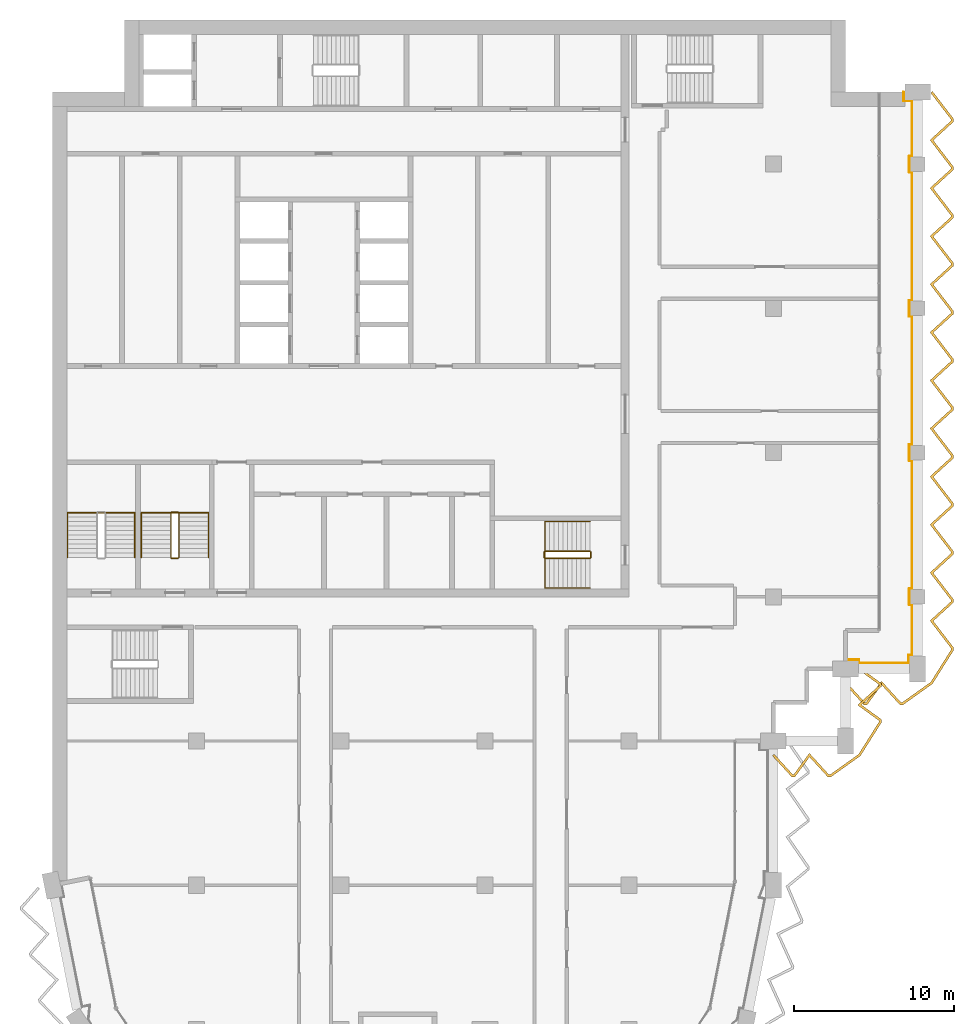
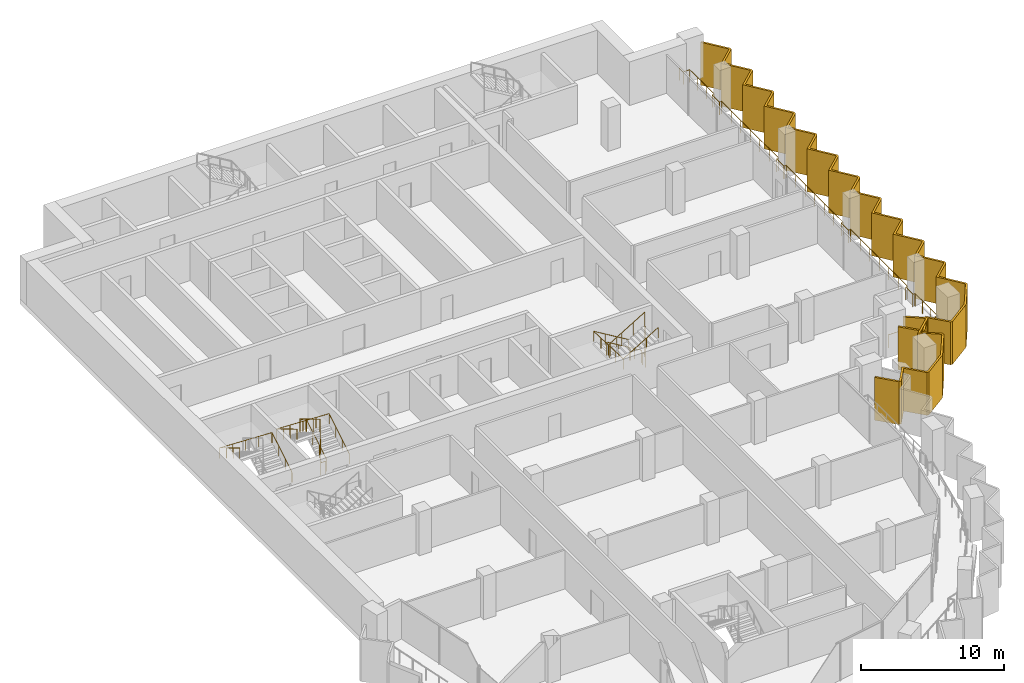
# One storey, part 15 of 16: 6 railings, 2 shading devices.
"""IFC4 building model written with IfcOpenShell, lengths in metres."""

from ifc_helpers import new_model, si_unit, direction, frame, origin, origin_2d, place, context, subcontext, project, spatial, polyline, circle, outline, extrude, material, layer, layer_set, type_object, element, save


model = new_model("IFC4")

# Units and contexts
model_context = context("Model", 3, precision=1e-05, world=origin(), true_north=direction((0.0, 1.0)))
body_context = subcontext(model_context, "Body", "Model", "MODEL_VIEW")
ifc_project = project(units=[si_unit("LENGTHUNIT", "METRE"), si_unit("AREAUNIT", "SQUARE_METRE"), si_unit("VOLUMEUNIT", "CUBIC_METRE"), si_unit("PLANEANGLEUNIT", "RADIAN"), si_unit("MASSUNIT", "GRAM", prefix="KILO")], contexts=[model_context])

# Site, building, storey
site_placement = place(None, origin())
site = spatial("IfcSite", under=ifc_project, at=site_placement, CompositionType="ELEMENT")
building_placement = place(site_placement, origin())
building = spatial("IfcBuilding", under=site, at=building_placement, Name="Hunhe Ridgeline Campus", CompositionType="ELEMENT")
storey_placement = place(building_placement, frame((0.0, 0.0, 242.89990234375)))
storey = spatial("IfcBuildingStorey", under=building, at=storey_placement, Name="L62", CompositionType="ELEMENT", Elevation=242.89990234375)

# Railing
ifc_material_1 = material(Name="Steel Q355", Category="steel")
railing_type_1 = type_object("IfcRailingType", Name="Loggia guard 1100 Steel Q355", PredefinedType="GUARDRAIL", material=ifc_material_1)
railing_1_placement = place(storey_placement, frame((49.5, 59.070068359375, 0.0)))
element("IfcRailing", 1, at=railing_1_placement, inside=storey, type_object=railing_type_1, Name="Loggia guard 2", PredefinedType="GUARDRAIL", context=body_context, shape_type="SweptSolid", body=[
    extrude(circle(Radius=0.02392578125, at=origin_2d()), frame((0.0, 0.0, 1.076171875), z_axis=(1.0, 0.0, 0.0), x_axis=(0.0, 1.0, 0.0)), (0.0, 0.0, 1.0), 0.85009765625),
    extrude(circle(Radius=0.02392578125, at=origin_2d()), frame((0.85009765625, 0.0, 1.076171875), z_axis=(0.0, -1.0, 0.0), x_axis=(1.0, 0.0, 0.0)), (0.0, 0.0, 1.0), 0.219970703125),
    extrude(circle(Radius=0.02392578125, at=origin_2d()), frame((0.85009765625, -0.219970703125, 1.076171875), z_axis=(1.0, 0.0, 0.0), x_axis=(0.0, 1.0, 0.0)), (0.0, 0.0, 1.0), 3.099853515625),
    extrude(circle(Radius=0.02392578125, at=origin_2d()), frame((3.949951171875, -0.219970703125, 1.076171875), z_axis=(0.0, 1.0, 0.0), x_axis=(-1.0, 0.0, 0.0)), (0.0, 0.0, 1.0), 0.52001953125),
    extrude(circle(Radius=0.02392578125, at=origin_2d()), frame((3.949951171875, 0.300048828125, 1.076171875), z_axis=(-0.066572895244, -0.99778156408, 0.0), x_axis=(0.99778156408, -0.066572895244, 0.0)), (0.0, 0.0, 1.0), 0.30078125),
    extrude(circle(Radius=0.02392578125, at=origin_2d()), frame((3.929931640625, 0.0, 1.076171875), z_axis=(0.0, 1.0, 0.0), x_axis=(-1.0, 0.0, 0.0)), (0.0, 0.0, 1.0), 0.280029296875),
    extrude(circle(Radius=0.02392578125, at=origin_2d()), frame((3.929931640625, 0.280029296875, 1.076171875), z_axis=(1.0, 0.0, 0.0), x_axis=(0.0, 1.0, 0.0)), (0.0, 0.0, 1.0), 0.219970703125),
    extrude(circle(Radius=0.02392578125, at=origin_2d()), frame((4.14990234375, 0.280029296875, 1.076171875), z_axis=(0.0, 1.0, 0.0), x_axis=(-1.0, 0.0, 0.0)), (0.0, 0.0, 1.0), 3.14990234375),
    extrude(circle(Radius=0.02392578125, at=origin_2d()), frame((4.14990234375, 3.429931640625, 1.076171875), z_axis=(-1.0, 0.0, 0.0), x_axis=(0.0, -1.0, 0.0)), (0.0, 0.0, 1.0), 0.169921875),
    extrude(circle(Radius=0.02392578125, at=origin_2d()), frame((3.97998046875, 3.429931640625, 1.076171875), z_axis=(0.0, 1.0, 0.0), x_axis=(-1.0, 0.0, 0.0)), (0.0, 0.0, 1.0), 1.0),
    extrude(circle(Radius=0.02392578125, at=origin_2d()), frame((3.97998046875, 4.429931640625, 1.076171875), z_axis=(1.0, 0.0, 0.0), x_axis=(0.0, 1.0, 0.0)), (0.0, 0.0, 1.0), 0.169921875),
    extrude(circle(Radius=0.02392578125, at=origin_2d()), frame((4.14990234375, 4.429931640625, 1.076171875), z_axis=(0.0, 1.0, 0.0), x_axis=(-1.0, 0.0, 0.0)), (0.0, 0.0, 1.0), 8.0),
    extrude(circle(Radius=0.02392578125, at=origin_2d()), frame((4.14990234375, 12.429931640625, 1.076171875), z_axis=(-1.0, 0.0, 0.0), x_axis=(0.0, -1.0, 0.0)), (0.0, 0.0, 1.0), 0.169921875),
    extrude(circle(Radius=0.02392578125, at=origin_2d()), frame((3.97998046875, 12.429931640625, 1.076171875), z_axis=(0.0, 1.0, 0.0), x_axis=(-1.0, 0.0, 0.0)), (0.0, 0.0, 1.0), 1.0),
    extrude(circle(Radius=0.02392578125, at=origin_2d()), frame((3.97998046875, 13.429931640625, 1.076171875), z_axis=(1.0, 0.0, 0.0), x_axis=(0.0, 1.0, 0.0)), (0.0, 0.0, 1.0), 0.169921875),
    extrude(circle(Radius=0.02392578125, at=origin_2d()), frame((4.14990234375, 13.429931640625, 1.076171875), z_axis=(0.0, 1.0, 0.0), x_axis=(-1.0, 0.0, 0.0)), (0.0, 0.0, 1.0), 8.0),
    extrude(circle(Radius=0.02392578125, at=origin_2d()), frame((4.14990234375, 21.429931640625, 1.076171875), z_axis=(-1.0, 0.0, 0.0), x_axis=(0.0, -1.0, 0.0)), (0.0, 0.0, 1.0), 0.169921875),
    extrude(circle(Radius=0.02392578125, at=origin_2d()), frame((3.97998046875, 21.429931640625, 1.076171875), z_axis=(0.0, 1.0, 0.0), x_axis=(-1.0, 0.0, 0.0)), (0.0, 0.0, 1.0), 1.0),
    extrude(circle(Radius=0.02392578125, at=origin_2d()), frame((3.97998046875, 22.429931640625, 1.076171875), z_axis=(1.0, 0.0, 0.0), x_axis=(0.0, 1.0, 0.0)), (0.0, 0.0, 1.0), 0.169921875),
    extrude(circle(Radius=0.02392578125, at=origin_2d()), frame((4.14990234375, 22.429931640625, 1.076171875), z_axis=(0.0, 1.0, 0.0), x_axis=(-1.0, 0.0, 0.0)), (0.0, 0.0, 1.0), 8.0),
    extrude(circle(Radius=0.02392578125, at=origin_2d()), frame((4.14990234375, 30.429931640625, 1.076171875), z_axis=(-1.0, 0.0, 0.0), x_axis=(0.0, -1.0, 0.0)), (0.0, 0.0, 1.0), 0.169921875),
    extrude(circle(Radius=0.02392578125, at=origin_2d()), frame((3.97998046875, 30.429931640625, 1.076171875), z_axis=(0.0, 1.0, 0.0), x_axis=(-1.0, 0.0, 0.0)), (0.0, 0.0, 1.0), 1.0),
    extrude(circle(Radius=0.02392578125, at=origin_2d()), frame((3.97998046875, 31.429931640625, 1.076171875), z_axis=(1.0, 0.0, 0.0), x_axis=(0.0, 1.0, 0.0)), (0.0, 0.0, 1.0), 0.169921875),
    extrude(circle(Radius=0.02392578125, at=origin_2d()), frame((4.14990234375, 31.429931640625, 1.076171875), z_axis=(0.0, 1.0, 0.0), x_axis=(-1.0, 0.0, 0.0)), (0.0, 0.0, 1.0), 3.449951171875),
    extrude(circle(Radius=0.02392578125, at=origin_2d()), frame((4.14990234375, 34.8798828125, 1.076171875), z_axis=(-1.0, 0.0, 0.0), x_axis=(0.0, -1.0, 0.0)), (0.0, 0.0, 1.0), 0.52001953125),
    extrude(circle(Radius=0.02392578125, at=origin_2d()), frame((3.6298828125, 34.8798828125, 1.076171875), z_axis=(0.0, 1.0, 0.0), x_axis=(-1.0, 0.0, 0.0)), (0.0, 0.0, 1.0), 0.550048828125),
    extrude(circle(Radius=0.02099609375, at=origin_2d()), origin(), (0.0, 0.0, 1.0), 1.052001953125),
    extrude(circle(Radius=0.02099609375, at=origin_2d()), frame((0.85009765625, 0.0, 0.0)), (0.0, 0.0, 1.0), 1.052001953125),
    extrude(circle(Radius=0.02099609375, at=origin_2d()), frame((0.85009765625, -0.219970703125, 0.0)), (0.0, 0.0, 1.0), 1.052001953125),
    extrude(circle(Radius=0.02099609375, at=origin_2d()), frame((1.88330078125, -0.219970703125, 0.0)), (0.0, 0.0, 1.0), 1.052001953125),
    extrude(circle(Radius=0.02099609375, at=origin_2d()), frame((2.916748046875, -0.219970703125, 0.0)), (0.0, 0.0, 1.0), 1.052001953125),
    extrude(circle(Radius=0.02099609375, at=origin_2d()), frame((3.949951171875, -0.219970703125, 0.0)), (0.0, 0.0, 1.0), 1.052001953125),
    extrude(circle(Radius=0.02099609375, at=origin_2d()), frame((3.949951171875, 0.300048828125, 0.0)), (0.0, 0.0, 1.0), 1.052001953125),
    extrude(circle(Radius=0.02099609375, at=origin_2d()), frame((3.929931640625, 0.0, 0.0)), (0.0, 0.0, 1.0), 1.052001953125),
    extrude(circle(Radius=0.02099609375, at=origin_2d()), frame((3.929931640625, 0.280029296875, 0.0)), (0.0, 0.0, 1.0), 1.052001953125),
    extrude(circle(Radius=0.02099609375, at=origin_2d()), frame((4.14990234375, 0.280029296875, 0.0)), (0.0, 0.0, 1.0), 1.052001953125),
    extrude(circle(Radius=0.02099609375, at=origin_2d()), frame((4.14990234375, 1.330078125, 0.0)), (0.0, 0.0, 1.0), 1.052001953125),
    extrude(circle(Radius=0.02099609375, at=origin_2d()), frame((4.14990234375, 2.3798828125, 0.0)), (0.0, 0.0, 1.0), 1.052001953125),
    extrude(circle(Radius=0.02099609375, at=origin_2d()), frame((4.14990234375, 3.429931640625, 0.0)), (0.0, 0.0, 1.0), 1.052001953125),
    extrude(circle(Radius=0.02099609375, at=origin_2d()), frame((3.97998046875, 3.429931640625, 0.0)), (0.0, 0.0, 1.0), 1.052001953125),
    extrude(circle(Radius=0.02099609375, at=origin_2d()), frame((3.97998046875, 4.429931640625, 0.0)), (0.0, 0.0, 1.0), 1.052001953125),
    extrude(circle(Radius=0.02099609375, at=origin_2d()), frame((4.14990234375, 4.429931640625, 0.0)), (0.0, 0.0, 1.0), 1.052001953125),
    extrude(circle(Radius=0.02099609375, at=origin_2d()), frame((4.14990234375, 5.76318359375, 0.0)), (0.0, 0.0, 1.0), 1.052001953125),
    extrude(circle(Radius=0.02099609375, at=origin_2d()), frame((4.14990234375, 7.0966796875, 0.0)), (0.0, 0.0, 1.0), 1.052001953125),
    extrude(circle(Radius=0.02099609375, at=origin_2d()), frame((4.14990234375, 8.429931640625, 0.0)), (0.0, 0.0, 1.0), 1.052001953125),
    extrude(circle(Radius=0.02099609375, at=origin_2d()), frame((4.14990234375, 9.76318359375, 0.0)), (0.0, 0.0, 1.0), 1.052001953125),
    extrude(circle(Radius=0.02099609375, at=origin_2d()), frame((4.14990234375, 11.0966796875, 0.0)), (0.0, 0.0, 1.0), 1.052001953125),
    extrude(circle(Radius=0.02099609375, at=origin_2d()), frame((4.14990234375, 12.429931640625, 0.0)), (0.0, 0.0, 1.0), 1.052001953125),
    extrude(circle(Radius=0.02099609375, at=origin_2d()), frame((3.97998046875, 12.429931640625, 0.0)), (0.0, 0.0, 1.0), 1.052001953125),
    extrude(circle(Radius=0.02099609375, at=origin_2d()), frame((3.97998046875, 13.429931640625, 0.0)), (0.0, 0.0, 1.0), 1.052001953125),
    extrude(circle(Radius=0.02099609375, at=origin_2d()), frame((4.14990234375, 13.429931640625, 0.0)), (0.0, 0.0, 1.0), 1.052001953125),
    extrude(circle(Radius=0.02099609375, at=origin_2d()), frame((4.14990234375, 14.76318359375, 0.0)), (0.0, 0.0, 1.0), 1.052001953125),
    extrude(circle(Radius=0.02099609375, at=origin_2d()), frame((4.14990234375, 16.0966796875, 0.0)), (0.0, 0.0, 1.0), 1.052001953125),
    extrude(circle(Radius=0.02099609375, at=origin_2d()), frame((4.14990234375, 17.429931640625, 0.0)), (0.0, 0.0, 1.0), 1.052001953125),
    extrude(circle(Radius=0.02099609375, at=origin_2d()), frame((4.14990234375, 18.76318359375, 0.0)), (0.0, 0.0, 1.0), 1.052001953125),
    extrude(circle(Radius=0.02099609375, at=origin_2d()), frame((4.14990234375, 20.0966796875, 0.0)), (0.0, 0.0, 1.0), 1.052001953125),
    extrude(circle(Radius=0.02099609375, at=origin_2d()), frame((4.14990234375, 21.429931640625, 0.0)), (0.0, 0.0, 1.0), 1.052001953125),
    extrude(circle(Radius=0.02099609375, at=origin_2d()), frame((3.97998046875, 21.429931640625, 0.0)), (0.0, 0.0, 1.0), 1.052001953125),
    extrude(circle(Radius=0.02099609375, at=origin_2d()), frame((3.97998046875, 22.429931640625, 0.0)), (0.0, 0.0, 1.0), 1.052001953125),
    extrude(circle(Radius=0.02099609375, at=origin_2d()), frame((4.14990234375, 22.429931640625, 0.0)), (0.0, 0.0, 1.0), 1.052001953125),
    extrude(circle(Radius=0.02099609375, at=origin_2d()), frame((4.14990234375, 23.76318359375, 0.0)), (0.0, 0.0, 1.0), 1.052001953125),
    extrude(circle(Radius=0.02099609375, at=origin_2d()), frame((4.14990234375, 25.0966796875, 0.0)), (0.0, 0.0, 1.0), 1.052001953125),
    extrude(circle(Radius=0.02099609375, at=origin_2d()), frame((4.14990234375, 26.429931640625, 0.0)), (0.0, 0.0, 1.0), 1.052001953125),
    extrude(circle(Radius=0.02099609375, at=origin_2d()), frame((4.14990234375, 27.76318359375, 0.0)), (0.0, 0.0, 1.0), 1.052001953125),
    extrude(circle(Radius=0.02099609375, at=origin_2d()), frame((4.14990234375, 29.0966796875, 0.0)), (0.0, 0.0, 1.0), 1.052001953125),
    extrude(circle(Radius=0.02099609375, at=origin_2d()), frame((4.14990234375, 30.429931640625, 0.0)), (0.0, 0.0, 1.0), 1.052001953125),
    extrude(circle(Radius=0.02099609375, at=origin_2d()), frame((3.97998046875, 30.429931640625, 0.0)), (0.0, 0.0, 1.0), 1.052001953125),
    extrude(circle(Radius=0.02099609375, at=origin_2d()), frame((3.97998046875, 31.429931640625, 0.0)), (0.0, 0.0, 1.0), 1.052001953125),
    extrude(circle(Radius=0.02099609375, at=origin_2d()), frame((4.14990234375, 31.429931640625, 0.0)), (0.0, 0.0, 1.0), 1.052001953125),
    extrude(circle(Radius=0.02099609375, at=origin_2d()), frame((4.14990234375, 32.579833984375, 0.0)), (0.0, 0.0, 1.0), 1.052001953125),
    extrude(circle(Radius=0.02099609375, at=origin_2d()), frame((4.14990234375, 33.72998046875, 0.0)), (0.0, 0.0, 1.0), 1.052001953125),
    extrude(circle(Radius=0.02099609375, at=origin_2d()), frame((4.14990234375, 34.8798828125, 0.0)), (0.0, 0.0, 1.0), 1.052001953125),
    extrude(circle(Radius=0.02099609375, at=origin_2d()), frame((3.6298828125, 34.8798828125, 0.0)), (0.0, 0.0, 1.0), 1.052001953125),
    extrude(circle(Radius=0.02099609375, at=origin_2d()), frame((3.6298828125, 35.429931640625, 0.0)), (0.0, 0.0, 1.0), 1.052001953125),
])

# Shading devices
ifc_material_2 = material(Name="Concrete C50", Category="concrete")
ifc_layer = layer(ifc_material_2, 0.14990234375)
ifc_layer_set = layer_set([ifc_layer], Name="Sawtooth concrete fin 150 Concrete C50")
shading_device_type = type_object("IfcShadingDeviceType", Name="Sawtooth concrete fin 150 Concrete C50", PredefinedType="USERDEFINED", material=ifc_layer_set)
shading_device_1_placement = place(storey_placement, frame((0.0, 0.0, -0.949951171875)))
element("IfcShadingDevice", 2, at=shading_device_1_placement, inside=storey, type_object=shading_device_type, Name="Concrete fin screen 2", ObjectType="FIN", PredefinedType="USERDEFINED", context=body_context, shape_type="SweptSolid", body=[
    extrude(outline(polyline([(45.055419921875, 53.175537109375), (44.944580078125, 53.074462890625), (46.15283203125, 51.75), (46.34423828125, 51.75), (47.256591796875, 53.00634765625), (48.40283203125, 51.75), (48.580078125, 51.75), (50.4306640625, 53.072509765625), (51.75, 55.164306640625), (51.75, 55.34423828125), (50.49365234375, 56.256591796875), (51.75, 57.40283203125), (51.75, 57.59423828125), (50.419189453125, 58.560791015625), (50.330810546875, 58.439208984375), (51.60009765625, 57.517822265625), (51.60009765625, 57.46923828125), (50.25634765625, 56.243408203125), (51.60009765625, 55.267822265625), (51.60009765625, 55.207763671875), (50.3193359375, 53.177490234375), (48.531982421875, 51.89990234375), (48.46923828125, 51.89990234375), (47.243408203125, 53.24365234375), (46.267822265625, 51.89990234375), (46.21923828125, 51.89990234375), (45.055419921875, 53.175537109375)])), origin(), (0.0, 0.0, 1.0), 3.650146484375),
])
shading_device_2_placement = place(storey_placement, frame((0.0, 0.0, -0.949951171875)))
element("IfcShadingDevice", 3, at=shading_device_2_placement, inside=storey, type_object=shading_device_type, Name="Concrete fin screen 3", ObjectType="FIN", PredefinedType="USERDEFINED", context=body_context, shape_type="SweptSolid", body=[
    extrude(outline(polyline([(49.555419921875, 57.675537109375), (49.444580078125, 57.574462890625), (50.65283203125, 56.25), (50.84423828125, 56.25), (51.756591796875, 57.50634765625), (52.90283203125, 56.25), (53.080078125, 56.25), (54.9306640625, 57.572509765625), (56.25, 59.664306640625), (56.25, 59.83154296875), (54.976318359375, 61.490966796875), (56.25, 62.65283203125), (56.25, 62.83154296875), (54.976318359375, 64.490966796875), (56.25, 65.65283203125), (56.25, 65.83154296875), (54.976318359375, 67.490966796875), (56.25, 68.65283203125), (56.25, 68.83154296875), (54.976318359375, 70.490966796875), (56.25, 71.65283203125), (56.25, 71.83154296875), (54.976318359375, 73.490966796875), (56.25, 74.65283203125), (56.25, 74.83154296875), (54.976318359375, 76.490966796875), (56.25, 77.65283203125), (56.25, 77.83154296875), (54.976318359375, 79.490966796875), (56.25, 80.65283203125), (56.25, 80.83154296875), (54.976318359375, 82.490966796875), (56.25, 83.65283203125), (56.25, 83.83154296875), (54.976318359375, 85.490966796875), (56.25, 86.65283203125), (56.25, 86.83154296875), (54.976318359375, 88.490966796875), (56.25, 89.65283203125), (56.25, 89.83154296875), (54.976318359375, 91.490966796875), (56.25, 92.65283203125), (56.25, 92.83154296875), (54.9345703125, 94.545654296875), (54.8154296875, 94.454345703125), (56.10009765625, 92.780517578125), (56.10009765625, 92.71923828125), (54.773681640625, 91.509033203125), (56.10009765625, 89.780517578125), (56.10009765625, 89.71923828125), (54.773681640625, 88.509033203125), (56.10009765625, 86.780517578125), (56.10009765625, 86.71923828125), (54.773681640625, 85.509033203125), (56.10009765625, 83.780517578125), (56.10009765625, 83.71923828125), (54.773681640625, 82.509033203125), (56.10009765625, 80.780517578125), (56.10009765625, 80.71923828125), (54.773681640625, 79.509033203125), (56.10009765625, 77.780517578125), (56.10009765625, 77.71923828125), (54.773681640625, 76.509033203125), (56.10009765625, 74.780517578125), (56.10009765625, 74.71923828125), (54.773681640625, 73.509033203125), (56.10009765625, 71.780517578125), (56.10009765625, 71.71923828125), (54.773681640625, 70.509033203125), (56.10009765625, 68.780517578125), (56.10009765625, 68.71923828125), (54.773681640625, 67.509033203125), (56.10009765625, 65.780517578125), (56.10009765625, 65.71923828125), (54.773681640625, 64.509033203125), (56.10009765625, 62.780517578125), (56.10009765625, 62.71923828125), (54.773681640625, 61.509033203125), (56.10009765625, 59.780517578125), (56.10009765625, 59.707763671875), (54.8193359375, 57.677490234375), (53.031982421875, 56.39990234375), (52.96923828125, 56.39990234375), (51.743408203125, 57.74365234375), (50.767822265625, 56.39990234375), (50.71923828125, 56.39990234375), (49.555419921875, 57.675537109375)])), origin(), (0.0, 0.0, 1.0), 3.650146484375),
])

# Railings
ifc_material_3 = material(Name="Stainless steel balustrade", Category="steel")
railing_type_2 = type_object("IfcRailingType", Name="Stair guard 1100 stainless", PredefinedType="GUARDRAIL", material=ifc_material_3)
railing_2_placement = place(storey_placement, frame((33.550048828125, 65.85009765625, 0.168212890625)))
element("IfcRailing", 4, at=railing_2_placement, inside=storey, type_object=railing_type_2, Name="L62 stair S2 guard", PredefinedType="GUARDRAIL", context=body_context, shape_type="SweptSolid", body=[
    extrude(circle(Radius=0.02392578125, at=origin_2d()), frame((0.0, 0.0, 1.076171875), z_axis=(-0.857242210791, 0.0, 0.514913383045), x_axis=(0.0, -1.0, 0.0)), (0.0, 0.0, 1.0), 3.266357421875),
    extrude(circle(Radius=0.02392578125, at=origin_2d()), frame((-2.800048828125, 0.0, 2.7578125), z_axis=(-0.707106781187, -0.707106781187, 0.0), x_axis=(0.707106781187, -0.707106781187, 0.0)), (0.0, 0.0, 1.0), 0.07080078125),
    extrude(circle(Radius=0.02392578125, at=origin_2d()), frame((-2.85009765625, -0.050048828125, 2.7578125), z_axis=(0.0, -1.0, 0.0), x_axis=(1.0, 0.0, 0.0)), (0.0, 0.0, 1.0), 0.35009765625),
    extrude(circle(Radius=0.02392578125, at=origin_2d()), frame((-2.85009765625, -0.400146484375, 2.7578125), z_axis=(0.274243871929, -0.274243871929, 0.92172696468), x_axis=(0.707106781187, 0.707106781187, 0.0)), (0.0, 0.0, 1.0), 0.1826171875),
    extrude(circle(Radius=0.02392578125, at=origin_2d()), frame((-2.800048828125, -0.4501953125, 2.92626953125), z_axis=(0.857242210791, 0.0, 0.514913383045), x_axis=(0.0, 1.0, 0.0)), (0.0, 0.0, 1.0), 3.266357421875),
    extrude(circle(Radius=0.02392578125, at=origin_2d()), frame((0.0, -0.4501953125, 4.60791015625), z_axis=(0.013523522368, 0.013523522368, -0.999817097616), x_axis=(-0.707106781187, 0.707106781187, 0.0)), (0.0, 0.0, 1.0), 3.700927734375),
    extrude(circle(Radius=0.02392578125, at=origin_2d()), frame((0.050048828125, -0.400146484375, 0.90771484375), z_axis=(0.0, 1.0, 0.0), x_axis=(-1.0, 0.0, 0.0)), (0.0, 0.0, 1.0), 0.35009765625),
    extrude(circle(Radius=0.02099609375, at=origin_2d()), origin(), (0.0, 0.0, 1.0), 1.052001953125),
    extrude(circle(Radius=0.02099609375, at=origin_2d()), frame((-0.933349609375, 0.0, 0.560546875)), (0.0, 0.0, 1.0), 1.052001953125),
    extrude(circle(Radius=0.02099609375, at=origin_2d()), frame((-1.86669921875, 0.0, 1.121337890625)), (0.0, 0.0, 1.0), 1.052001953125),
    extrude(circle(Radius=0.02099609375, at=origin_2d()), frame((-2.800048828125, 0.0, 1.681884765625)), (0.0, 0.0, 1.0), 1.052001953125),
    extrude(circle(Radius=0.02099609375, at=origin_2d()), frame((-2.85009765625, -0.050048828125, 1.681884765625)), (0.0, 0.0, 1.0), 1.052001953125),
    extrude(circle(Radius=0.02099609375, at=origin_2d()), frame((-2.85009765625, -0.400146484375, 1.681884765625)), (0.0, 0.0, 1.0), 1.052001953125),
    extrude(circle(Radius=0.02099609375, at=origin_2d()), frame((-2.800048828125, -0.4501953125, 1.85009765625)), (0.0, 0.0, 1.0), 1.052001953125),
    extrude(circle(Radius=0.02099609375, at=origin_2d()), frame((-1.86669921875, -0.4501953125, 2.41064453125)), (0.0, 0.0, 1.0), 1.052001953125),
    extrude(circle(Radius=0.02099609375, at=origin_2d()), frame((-0.933349609375, -0.4501953125, 2.971435546875)), (0.0, 0.0, 1.0), 1.052001953125),
    extrude(circle(Radius=0.02099609375, at=origin_2d()), frame((0.0, -0.4501953125, 3.531982421875)), (0.0, 0.0, 1.0), 1.052001953125),
    extrude(circle(Radius=0.02099609375, at=origin_2d()), frame((0.012451171875, -0.437744140625, 2.60693359375)), (0.0, 0.0, 1.0), 1.052001953125),
    extrude(circle(Radius=0.02099609375, at=origin_2d()), frame((0.02490234375, -0.42529296875, 1.681884765625)), (0.0, 0.0, 1.0), 1.052001953125),
    extrude(circle(Radius=0.02099609375, at=origin_2d()), frame((0.03759765625, -0.41259765625, 0.7568359375)), (0.0, 0.0, 1.0), 1.052001953125),
    extrude(circle(Radius=0.02099609375, at=origin_2d()), frame((0.050048828125, -0.400146484375, -0.168212890625)), (0.0, 0.0, 1.0), 1.052001953125),
    extrude(circle(Radius=0.02099609375, at=origin_2d()), frame((0.050048828125, -0.050048828125, -0.168212890625)), (0.0, 0.0, 1.0), 1.052001953125),
])
railing_3_placement = place(storey_placement, frame((7.89990234375, 65.449951171875, 0.168212890625)))
element("IfcRailing", 5, at=railing_3_placement, inside=storey, type_object=railing_type_2, Name="L62 stair S4 guard", PredefinedType="GUARDRAIL", context=body_context, shape_type="SweptSolid", body=[
    extrude(circle(Radius=0.02392578125, at=origin_2d()), frame((0.0, 0.0, 1.076171875), z_axis=(0.0, 0.857242210791, 0.514913383045), x_axis=(-1.0, 0.0, 0.0)), (0.0, 0.0, 1.0), 3.266357421875),
    extrude(circle(Radius=0.02392578125, at=origin_2d()), frame((0.0, 2.800048828125, 2.7578125), z_axis=(-0.705375805398, 0.708833529934, 0.0), x_axis=(-0.708833529934, -0.705375805398, 0.0)), (0.0, 0.0, 1.0), 0.070556640625),
    extrude(circle(Radius=0.02392578125, at=origin_2d()), frame((-0.0498046875, 2.85009765625, 2.7578125), z_axis=(-1.0, 0.0, 0.0), x_axis=(0.0, -1.0, 0.0)), (0.0, 0.0, 1.0), 0.400146484375),
    extrude(circle(Radius=0.02392578125, at=origin_2d()), frame((-0.449951171875, 2.85009765625, 2.7578125), z_axis=(-0.274243871929, -0.274243871929, 0.92172696468), x_axis=(0.707106781187, -0.707106781187, 0.0)), (0.0, 0.0, 1.0), 0.1826171875),
    extrude(circle(Radius=0.02392578125, at=origin_2d()), frame((-0.5, 2.800048828125, 2.92626953125), z_axis=(0.0, -0.857242210791, 0.514913383045), x_axis=(1.0, 0.0, 0.0)), (0.0, 0.0, 1.0), 3.266357421875),
    extrude(circle(Radius=0.02392578125, at=origin_2d()), frame((-0.5, 0.0, 4.60791015625), z_axis=(0.013523522368, -0.013523522368, -0.999817097616), x_axis=(0.707106781187, 0.707106781187, 0.0)), (0.0, 0.0, 1.0), 3.700927734375),
    extrude(circle(Radius=0.02392578125, at=origin_2d()), frame((-0.449951171875, -0.050048828125, 0.90771484375), z_axis=(1.0, 0.0, 0.0), x_axis=(0.0, 1.0, 0.0)), (0.0, 0.0, 1.0), 0.400146484375),
    extrude(circle(Radius=0.02099609375, at=origin_2d()), origin(), (0.0, 0.0, 1.0), 1.052001953125),
    extrude(circle(Radius=0.02099609375, at=origin_2d()), frame((0.0, 0.933349609375, 0.560546875)), (0.0, 0.0, 1.0), 1.052001953125),
    extrude(circle(Radius=0.02099609375, at=origin_2d()), frame((0.0, 1.86669921875, 1.121337890625)), (0.0, 0.0, 1.0), 1.052001953125),
    extrude(circle(Radius=0.02099609375, at=origin_2d()), frame((0.0, 2.800048828125, 1.681884765625)), (0.0, 0.0, 1.0), 1.052001953125),
    extrude(circle(Radius=0.02099609375, at=origin_2d()), frame((-0.0498046875, 2.85009765625, 1.681884765625)), (0.0, 0.0, 1.0), 1.052001953125),
    extrude(circle(Radius=0.02099609375, at=origin_2d()), frame((-0.449951171875, 2.85009765625, 1.681884765625)), (0.0, 0.0, 1.0), 1.052001953125),
    extrude(circle(Radius=0.02099609375, at=origin_2d()), frame((-0.5, 2.800048828125, 1.85009765625)), (0.0, 0.0, 1.0), 1.052001953125),
    extrude(circle(Radius=0.02099609375, at=origin_2d()), frame((-0.5, 1.86669921875, 2.41064453125)), (0.0, 0.0, 1.0), 1.052001953125),
    extrude(circle(Radius=0.02099609375, at=origin_2d()), frame((-0.5, 0.933349609375, 2.971435546875)), (0.0, 0.0, 1.0), 1.052001953125),
    extrude(circle(Radius=0.02099609375, at=origin_2d()), frame((-0.5, 0.0, 3.531982421875)), (0.0, 0.0, 1.0), 1.052001953125),
    extrude(circle(Radius=0.02099609375, at=origin_2d()), frame((-0.487548828125, -0.012451171875, 2.60693359375)), (0.0, 0.0, 1.0), 1.052001953125),
    extrude(circle(Radius=0.02099609375, at=origin_2d()), frame((-0.47509765625, -0.02490234375, 1.681884765625)), (0.0, 0.0, 1.0), 1.052001953125),
    extrude(circle(Radius=0.02099609375, at=origin_2d()), frame((-0.46240234375, -0.03759765625, 0.7568359375)), (0.0, 0.0, 1.0), 1.052001953125),
    extrude(circle(Radius=0.02099609375, at=origin_2d()), frame((-0.449951171875, -0.050048828125, -0.168212890625)), (0.0, 0.0, 1.0), 1.052001953125),
    extrude(circle(Radius=0.02099609375, at=origin_2d()), frame((-0.0498046875, -0.050048828125, -0.168212890625)), (0.0, 0.0, 1.0), 1.052001953125),
])
ifc_material_4 = material(Name="Stainless steel handrail", Category="steel")
railing_type_3 = type_object("IfcRailingType", Name="Stair handrail 900 stainless", PredefinedType="HANDRAIL", material=ifc_material_4)
railing_4_placement = place(storey_placement, frame((33.550048828125, 67.699951171875, 0.168212890625)))
element("IfcRailing", 6, at=railing_4_placement, inside=storey, type_object=railing_type_3, Name="L62 stair S2 handrail", PredefinedType="HANDRAIL", context=body_context, shape_type="SweptSolid", body=[
    extrude(circle(Radius=0.02392578125, at=origin_2d()), frame((0.0, 0.0, 0.8759765625), z_axis=(-0.857242210791, 0.0, 0.514913383045), x_axis=(0.0, -1.0, 0.0)), (0.0, 0.0, 1.0), 3.266357421875),
    extrude(circle(Radius=0.02392578125, at=origin_2d()), frame((-2.800048828125, 0.0, 2.5576171875), z_axis=(0.0, -0.99917950104, 0.040500922239), x_axis=(1.0, 0.0, 0.0)), (0.0, 0.0, 1.0), 4.1533203125),
    extrude(circle(Radius=0.02392578125, at=origin_2d()), frame((-2.800048828125, -4.14990234375, 2.72607421875), z_axis=(0.857242210791, 0.0, 0.514913383045), x_axis=(0.0, 1.0, 0.0)), (0.0, 0.0, 1.0), 3.266357421875),
    extrude(circle(Radius=0.02099609375, at=origin_2d()), origin(), (0.0, 0.0, 1.0), 0.851806640625),
    extrude(circle(Radius=0.02099609375, at=origin_2d()), frame((-0.933349609375, 0.0, 0.560546875)), (0.0, 0.0, 1.0), 0.851806640625),
    extrude(circle(Radius=0.02099609375, at=origin_2d()), frame((-1.86669921875, 0.0, 1.121337890625)), (0.0, 0.0, 1.0), 0.851806640625),
    extrude(circle(Radius=0.02099609375, at=origin_2d()), frame((-2.800048828125, 0.0, 1.681884765625)), (0.0, 0.0, 1.0), 0.851806640625),
    extrude(circle(Radius=0.02099609375, at=origin_2d()), frame((-2.800048828125, -1.03759765625, 1.723876953125)), (0.0, 0.0, 1.0), 0.851806640625),
    extrude(circle(Radius=0.02099609375, at=origin_2d()), frame((-2.800048828125, -2.074951171875, 1.76611328125)), (0.0, 0.0, 1.0), 0.851806640625),
    extrude(circle(Radius=0.02099609375, at=origin_2d()), frame((-2.800048828125, -3.1123046875, 1.80810546875)), (0.0, 0.0, 1.0), 0.851806640625),
    extrude(circle(Radius=0.02099609375, at=origin_2d()), frame((-2.800048828125, -4.14990234375, 1.85009765625)), (0.0, 0.0, 1.0), 0.851806640625),
    extrude(circle(Radius=0.02099609375, at=origin_2d()), frame((-1.86669921875, -4.14990234375, 2.41064453125)), (0.0, 0.0, 1.0), 0.851806640625),
    extrude(circle(Radius=0.02099609375, at=origin_2d()), frame((-0.933349609375, -4.14990234375, 2.971435546875)), (0.0, 0.0, 1.0), 0.851806640625),
    extrude(circle(Radius=0.02099609375, at=origin_2d()), frame((0.0, -4.14990234375, 3.531982421875)), (0.0, 0.0, 1.0), 0.851806640625),
])
railing_5_placement = place(storey_placement, frame((5.14990234375, 65.449951171875, 0.168212890625)))
element("IfcRailing", 7, at=railing_5_placement, inside=storey, type_object=railing_type_3, Name="L62 stair S3 handrail", PredefinedType="HANDRAIL", context=body_context, shape_type="SweptSolid", body=[
    extrude(circle(Radius=0.02392578125, at=origin_2d()), frame((0.0, 0.0, 0.8759765625), z_axis=(0.0, 0.857242210791, 0.514913383045), x_axis=(-1.0, 0.0, 0.0)), (0.0, 0.0, 1.0), 3.266357421875),
    extrude(circle(Radius=0.02392578125, at=origin_2d()), frame((0.0, 2.800048828125, 2.5576171875), z_axis=(-0.999198916169, 0.0, 0.040019069537), x_axis=(0.0, -1.0, 0.0)), (0.0, 0.0, 1.0), 4.203369140625),
    extrude(circle(Radius=0.02392578125, at=origin_2d()), frame((-4.199951171875, 2.800048828125, 2.72607421875), z_axis=(0.0, -0.857242210791, 0.514913383045), x_axis=(1.0, 0.0, 0.0)), (0.0, 0.0, 1.0), 3.266357421875),
    extrude(circle(Radius=0.02099609375, at=origin_2d()), origin(), (0.0, 0.0, 1.0), 0.851806640625),
    extrude(circle(Radius=0.02099609375, at=origin_2d()), frame((0.0, 0.933349609375, 0.560546875)), (0.0, 0.0, 1.0), 0.851806640625),
    extrude(circle(Radius=0.02099609375, at=origin_2d()), frame((0.0, 1.86669921875, 1.121337890625)), (0.0, 0.0, 1.0), 0.851806640625),
    extrude(circle(Radius=0.02099609375, at=origin_2d()), frame((0.0, 2.800048828125, 1.681884765625)), (0.0, 0.0, 1.0), 0.851806640625),
    extrude(circle(Radius=0.02099609375, at=origin_2d()), frame((-1.050048828125, 2.800048828125, 1.723876953125)), (0.0, 0.0, 1.0), 0.851806640625),
    extrude(circle(Radius=0.02099609375, at=origin_2d()), frame((-2.10009765625, 2.800048828125, 1.76611328125)), (0.0, 0.0, 1.0), 0.851806640625),
    extrude(circle(Radius=0.02099609375, at=origin_2d()), frame((-3.14990234375, 2.800048828125, 1.80810546875)), (0.0, 0.0, 1.0), 0.851806640625),
    extrude(circle(Radius=0.02099609375, at=origin_2d()), frame((-4.199951171875, 2.800048828125, 1.85009765625)), (0.0, 0.0, 1.0), 0.851806640625),
    extrude(circle(Radius=0.02099609375, at=origin_2d()), frame((-4.199951171875, 1.86669921875, 2.41064453125)), (0.0, 0.0, 1.0), 0.851806640625),
    extrude(circle(Radius=0.02099609375, at=origin_2d()), frame((-4.199951171875, 0.933349609375, 2.971435546875)), (0.0, 0.0, 1.0), 0.851806640625),
    extrude(circle(Radius=0.02099609375, at=origin_2d()), frame((-4.199951171875, 0.0, 3.531982421875)), (0.0, 0.0, 1.0), 0.851806640625),
])
railing_6_placement = place(storey_placement, frame((9.75, 65.449951171875, 0.168212890625)))
element("IfcRailing", 8, at=railing_6_placement, inside=storey, type_object=railing_type_3, Name="L62 stair S4 handrail", PredefinedType="HANDRAIL", context=body_context, shape_type="SweptSolid", body=[
    extrude(circle(Radius=0.02392578125, at=origin_2d()), frame((0.0, 0.0, 0.8759765625), z_axis=(0.0, 0.857242210791, 0.514913383045), x_axis=(-1.0, 0.0, 0.0)), (0.0, 0.0, 1.0), 3.266357421875),
    extrude(circle(Radius=0.02392578125, at=origin_2d()), frame((0.0, 2.800048828125, 2.5576171875), z_axis=(-0.999198916169, 0.0, 0.040019069537), x_axis=(0.0, -1.0, 0.0)), (0.0, 0.0, 1.0), 4.203369140625),
    extrude(circle(Radius=0.02392578125, at=origin_2d()), frame((-4.199951171875, 2.800048828125, 2.72607421875), z_axis=(0.0, -0.857242210791, 0.514913383045), x_axis=(1.0, 0.0, 0.0)), (0.0, 0.0, 1.0), 3.266357421875),
    extrude(circle(Radius=0.02099609375, at=origin_2d()), origin(), (0.0, 0.0, 1.0), 0.851806640625),
    extrude(circle(Radius=0.02099609375, at=origin_2d()), frame((0.0, 0.933349609375, 0.560546875)), (0.0, 0.0, 1.0), 0.851806640625),
    extrude(circle(Radius=0.02099609375, at=origin_2d()), frame((0.0, 1.86669921875, 1.121337890625)), (0.0, 0.0, 1.0), 0.851806640625),
    extrude(circle(Radius=0.02099609375, at=origin_2d()), frame((0.0, 2.800048828125, 1.681884765625)), (0.0, 0.0, 1.0), 0.851806640625),
    extrude(circle(Radius=0.02099609375, at=origin_2d()), frame((-1.050048828125, 2.800048828125, 1.723876953125)), (0.0, 0.0, 1.0), 0.851806640625),
    extrude(circle(Radius=0.02099609375, at=origin_2d()), frame((-2.10009765625, 2.800048828125, 1.76611328125)), (0.0, 0.0, 1.0), 0.851806640625),
    extrude(circle(Radius=0.02099609375, at=origin_2d()), frame((-3.14990234375, 2.800048828125, 1.80810546875)), (0.0, 0.0, 1.0), 0.851806640625),
    extrude(circle(Radius=0.02099609375, at=origin_2d()), frame((-4.199951171875, 2.800048828125, 1.85009765625)), (0.0, 0.0, 1.0), 0.851806640625),
    extrude(circle(Radius=0.02099609375, at=origin_2d()), frame((-4.199951171875, 1.86669921875, 2.41064453125)), (0.0, 0.0, 1.0), 0.851806640625),
    extrude(circle(Radius=0.02099609375, at=origin_2d()), frame((-4.199951171875, 0.933349609375, 2.971435546875)), (0.0, 0.0, 1.0), 0.851806640625),
    extrude(circle(Radius=0.02099609375, at=origin_2d()), frame((-4.199951171875, 0.0, 3.531982421875)), (0.0, 0.0, 1.0), 0.851806640625),
])

save(model, "model.ifc")
